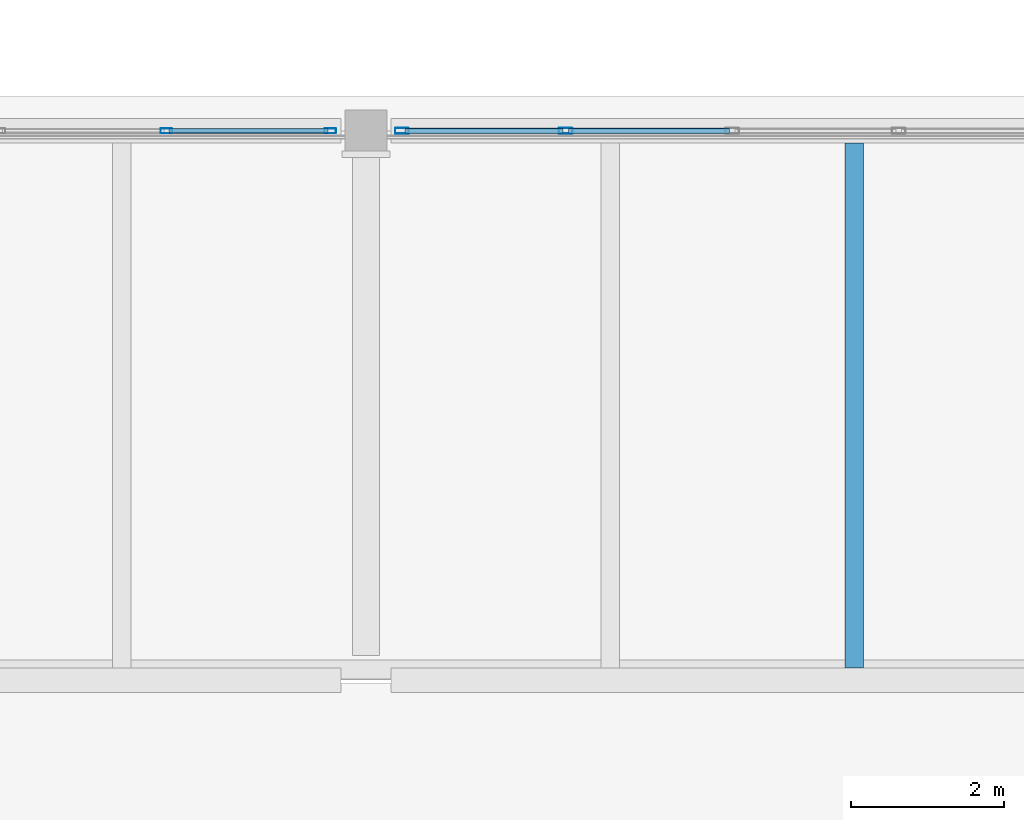
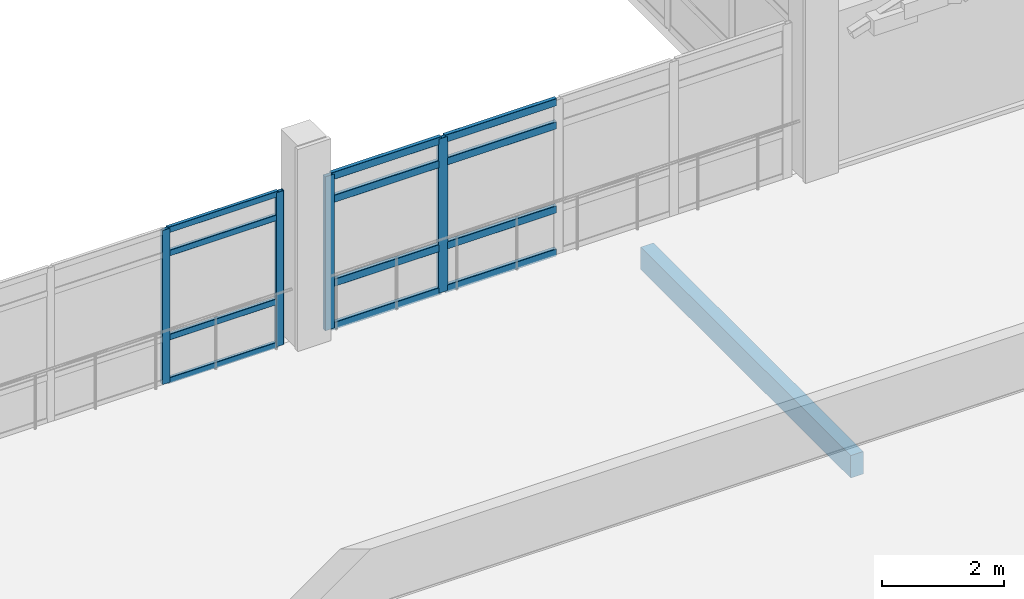
# One storey, part 12 of 50: 16 members, 1 beam, 2 elements without a shape of their own.
"""IFC4 building model written with IfcOpenShell, lengths in metres."""

from ifc_helpers import new_model, si_unit, direction, frame, origin, origin_2d, place, context, subcontext, project, spatial, rectangle, hollow_rectangle, extrude, material, layer, layer_set, material_profile, profile_set, type_object, element, aggregate, save


model = new_model("IFC4")

# Units and contexts
model_context = context("Model", 3, precision=1e-05, world=origin(), true_north=direction((0.0, 1.0)))
body_context = subcontext(model_context, "Body", "Model", "MODEL_VIEW")
ifc_project = project(units=[si_unit("LENGTHUNIT", "METRE"), si_unit("AREAUNIT", "SQUARE_METRE"), si_unit("VOLUMEUNIT", "CUBIC_METRE"), si_unit("PLANEANGLEUNIT", "RADIAN"), si_unit("MASSUNIT", "GRAM", prefix="KILO")], contexts=[model_context])

# Site, building, storey
site_placement = place(None, origin())
site = spatial("IfcSite", under=ifc_project, at=site_placement, CompositionType="ELEMENT")
building_placement = place(site_placement, origin())
building = spatial("IfcBuilding", under=site, at=building_placement, Name="Asteropetra Specialist Clinic", CompositionType="ELEMENT")
storey_placement = place(building_placement, frame((0.0, 0.0, 16.659912109375)))
storey = spatial("IfcBuildingStorey", under=building, at=storey_placement, Name="L04", CompositionType="ELEMENT", Elevation=16.659912109375)

# Curtain wall, members
ifc_material_1 = material(Name="Aluminium and low-E glass", Category="aluminium")
ifc_layer_1 = layer(ifc_material_1, 0.14990234375)
ifc_layer_set_1 = layer_set([ifc_layer_1], Name="Aluminium and low-E glass")
curtain_wall_type_1 = type_object("IfcCurtainWallType", Name="CW-SYS-02", PredefinedType="USERDEFINED", material=ifc_layer_set_1)
curtain_wall_1_placement = place(storey_placement, origin())
curtain_wall_1 = element("IfcCurtainWall", 1, at=curtain_wall_1_placement, inside=storey, type_object=curtain_wall_type_1, Name="Curtain Wall CW-049", ObjectType="UNITISED CURTAIN WALL", PredefinedType="USERDEFINED")
ifc_material_2 = material(Name="Aluminium 6063-T6", Category="aluminium")
ifc_material_profile_1 = material_profile(ifc_material_2, hollow_rectangle(XDim=0.06494140625, YDim=0.14990234375, WallThickness=0.00390625, InnerFilletRadius=0.00390625, OuterFilletRadius=0.008056640625, at=origin_2d()), Name="MUL 150x65x4.0")
ifc_profile_set_1 = profile_set([ifc_material_profile_1], Name="Aluminium 6063-T6")
member_type_1 = type_object("IfcMemberType", Name="CWM-150x65", PredefinedType="MULLION", material=ifc_profile_set_1)
member_1_placement = place(storey_placement, frame((16.58251953125, 76.800048828125, 0.0), z_axis=(0.0, 0.0, 1.0), x_axis=(0.0, 1.0, 0.0)))
member_1 = element("IfcMember", 2, at=member_1_placement, type_object=member_type_1, Name="CW-049 mullion 4", PredefinedType="MULLION", context=body_context, shape_type="SweptSolid", body=[
    extrude(hollow_rectangle(XDim=0.06494140625, YDim=0.14990234375, WallThickness=0.00390625, InnerFilletRadius=0.00390625, OuterFilletRadius=0.008056640625, at=origin_2d()), origin(), (0.0, 0.0, 1.0), 3.080078125),
])
member_2_placement = place(storey_placement, frame((18.732421875, 76.800048828125, 0.0), z_axis=(0.0, 0.0, 1.0), x_axis=(0.0, 1.0, 0.0)))
member_2 = element("IfcMember", 3, at=member_2_placement, type_object=member_type_1, Name="CW-049 mullion 5", PredefinedType="MULLION", context=body_context, shape_type="SweptSolid", body=[
    extrude(hollow_rectangle(XDim=0.06494140625, YDim=0.14990234375, WallThickness=0.00390625, InnerFilletRadius=0.00390625, OuterFilletRadius=0.008056640625, at=origin_2d()), origin(), (0.0, 0.0, 1.0), 3.080078125),
])

ifc_material_3 = material(Name="Aluminium and low-E glass", Category="aluminium")
ifc_layer_2 = layer(ifc_material_3, 0.135009765625)
ifc_layer_set_2 = layer_set([ifc_layer_2], Name="Aluminium and low-E glass")
curtain_wall_type_2 = type_object("IfcCurtainWallType", Name="CW-SYS-03", PredefinedType="USERDEFINED", material=ifc_layer_set_2)
curtain_wall_2_placement = place(storey_placement, origin())
curtain_wall_2 = element("IfcCurtainWall", 4, at=curtain_wall_2_placement, inside=storey, type_object=curtain_wall_type_2, Name="Curtain Wall CW-051", ObjectType="UNITISED CURTAIN WALL", PredefinedType="USERDEFINED")
ifc_material_4 = material(Name="Aluminium 6063-T6", Category="aluminium")
ifc_material_profile_2 = material_profile(ifc_material_4, hollow_rectangle(XDim=0.074951171875, YDim=0.179931640625, WallThickness=0.00390625, InnerFilletRadius=0.00390625, OuterFilletRadius=0.008056640625, at=origin_2d()), Name="MUL 180x75x4.0")
ifc_profile_set_2 = profile_set([ifc_material_profile_2], Name="Aluminium 6063-T6")
member_type_2 = type_object("IfcMemberType", Name="CWM-180x75", PredefinedType="MULLION", material=ifc_profile_set_2)
member_3_placement = place(storey_placement, frame((19.672607421875, 76.800048828125, 0.0), z_axis=(0.0, 0.0, 1.0), x_axis=(0.0, 1.0, 0.0)))
member_3 = element("IfcMember", 5, at=member_3_placement, type_object=member_type_2, Name="CW-051 mullion 1", PredefinedType="MULLION", context=body_context, shape_type="SweptSolid", body=[
    extrude(hollow_rectangle(XDim=0.074951171875, YDim=0.179931640625, WallThickness=0.00390625, InnerFilletRadius=0.00390625, OuterFilletRadius=0.008056640625, at=origin_2d()), origin(), (0.0, 0.0, 1.0), 3.080078125),
])
member_4_placement = place(storey_placement, frame((21.8173828125, 76.800048828125, 0.0), z_axis=(0.0, 0.0, 1.0), x_axis=(0.0, 1.0, 0.0)))
member_4 = element("IfcMember", 6, at=member_4_placement, type_object=member_type_2, Name="CW-051 mullion 2", PredefinedType="MULLION", context=body_context, shape_type="SweptSolid", body=[
    extrude(hollow_rectangle(XDim=0.074951171875, YDim=0.179931640625, WallThickness=0.00390625, InnerFilletRadius=0.00390625, OuterFilletRadius=0.008056640625, at=origin_2d()), origin(), (0.0, 0.0, 1.0), 3.080078125),
])

# Member
ifc_material_5 = material(Name="Aluminium 6063-T6", Category="aluminium")
ifc_material_profile_3 = material_profile(ifc_material_5, hollow_rectangle(XDim=0.06494140625, YDim=0.1201171875, WallThickness=0.00390625, InnerFilletRadius=0.00390625, OuterFilletRadius=0.008056640625, at=origin_2d()), Name="TRN 120x65x4.0")
ifc_profile_set_3 = profile_set([ifc_material_profile_3], Name="Aluminium 6063-T6")
member_type_3 = type_object("IfcMemberType", Name="CWT-120x65", PredefinedType="USERDEFINED", material=ifc_profile_set_3)
member_5_placement = place(storey_placement, frame((16.614990234375, 76.800048828125, 0.032470703125), z_axis=(1.0, 0.0, 0.0), x_axis=(0.0, 1.0, 0.0)))
member_5 = element("IfcMember", 7, at=member_5_placement, type_object=member_type_3, Name="CW-049 transom 4.1", ObjectType="TRANSOM", PredefinedType="USERDEFINED", context=body_context, shape_type="SweptSolid", body=[
    extrude(hollow_rectangle(XDim=0.06494140625, YDim=0.1201171875, WallThickness=0.00390625, InnerFilletRadius=0.00390625, OuterFilletRadius=0.008056640625, at=origin_2d()), origin(), (0.0, 0.0, 1.0), 2.0849609375),
])

member_6_placement = place(storey_placement, frame((16.614990234375, 76.800048828125, 0.900146484375), z_axis=(1.0, 0.0, 0.0), x_axis=(0.0, 1.0, 0.0)))
member_6 = element("IfcMember", 8, at=member_6_placement, type_object=member_type_3, Name="CW-049 transom 4.2", ObjectType="TRANSOM", PredefinedType="USERDEFINED", context=body_context, shape_type="SweptSolid", body=[
    extrude(hollow_rectangle(XDim=0.06494140625, YDim=0.1201171875, WallThickness=0.00390625, InnerFilletRadius=0.00390625, OuterFilletRadius=0.008056640625, at=origin_2d()), origin(), (0.0, 0.0, 1.0), 2.0849609375),
])

member_7_placement = place(storey_placement, frame((16.614990234375, 76.800048828125, 2.580078125), z_axis=(1.0, 0.0, 0.0), x_axis=(0.0, 1.0, 0.0)))
member_7 = element("IfcMember", 9, at=member_7_placement, type_object=member_type_3, Name="CW-049 transom 4.3", ObjectType="TRANSOM", PredefinedType="USERDEFINED", context=body_context, shape_type="SweptSolid", body=[
    extrude(hollow_rectangle(XDim=0.06494140625, YDim=0.1201171875, WallThickness=0.00390625, InnerFilletRadius=0.00390625, OuterFilletRadius=0.008056640625, at=origin_2d()), origin(), (0.0, 0.0, 1.0), 2.0849609375),
])

member_8_placement = place(storey_placement, frame((16.614990234375, 76.800048828125, 3.047607421875), z_axis=(1.0, 0.0, 0.0), x_axis=(0.0, 1.0, 0.0)))
member_8 = element("IfcMember", 10, at=member_8_placement, type_object=member_type_3, Name="CW-049 transom 4.4", ObjectType="TRANSOM", PredefinedType="USERDEFINED", context=body_context, shape_type="SweptSolid", body=[
    extrude(hollow_rectangle(XDim=0.06494140625, YDim=0.1201171875, WallThickness=0.00390625, InnerFilletRadius=0.00390625, OuterFilletRadius=0.008056640625, at=origin_2d()), origin(), (0.0, 0.0, 1.0), 2.0849609375),
])

aggregate(curtain_wall_1, [member_1, member_2, member_5, member_6, member_7, member_8])

ifc_material_6 = material(Name="Aluminium 6063-T6", Category="aluminium")
ifc_material_profile_4 = material_profile(ifc_material_6, hollow_rectangle(XDim=0.074951171875, YDim=0.14990234375, WallThickness=0.00390625, InnerFilletRadius=0.00390625, OuterFilletRadius=0.008056640625, at=origin_2d()), Name="TRN 150x75x4.0")
ifc_profile_set_4 = profile_set([ifc_material_profile_4], Name="Aluminium 6063-T6")
member_type_4 = type_object("IfcMemberType", Name="CWT-150x75", PredefinedType="USERDEFINED", material=ifc_profile_set_4)
member_9_placement = place(storey_placement, frame((19.7099609375, 76.800048828125, 0.03759765625), z_axis=(1.0, 0.0, 0.0), x_axis=(0.0, 1.0, 0.0)))
member_9 = element("IfcMember", 11, at=member_9_placement, type_object=member_type_4, Name="CW-051 transom 1.1", ObjectType="TRANSOM", PredefinedType="USERDEFINED", context=body_context, shape_type="SweptSolid", body=[
    extrude(hollow_rectangle(XDim=0.074951171875, YDim=0.14990234375, WallThickness=0.00390625, InnerFilletRadius=0.00390625, OuterFilletRadius=0.008056640625, at=origin_2d()), origin(), (0.0, 0.0, 1.0), 2.070068359375),
])

member_10_placement = place(storey_placement, frame((19.7099609375, 76.800048828125, 0.900146484375), z_axis=(1.0, 0.0, 0.0), x_axis=(0.0, 1.0, 0.0)))
member_10 = element("IfcMember", 12, at=member_10_placement, type_object=member_type_4, Name="CW-051 transom 1.2", ObjectType="TRANSOM", PredefinedType="USERDEFINED", context=body_context, shape_type="SweptSolid", body=[
    extrude(hollow_rectangle(XDim=0.074951171875, YDim=0.14990234375, WallThickness=0.00390625, InnerFilletRadius=0.00390625, OuterFilletRadius=0.008056640625, at=origin_2d()), origin(), (0.0, 0.0, 1.0), 2.070068359375),
])

member_11_placement = place(storey_placement, frame((19.7099609375, 76.800048828125, 2.580078125), z_axis=(1.0, 0.0, 0.0), x_axis=(0.0, 1.0, 0.0)))
member_11 = element("IfcMember", 13, at=member_11_placement, type_object=member_type_4, Name="CW-051 transom 1.3", ObjectType="TRANSOM", PredefinedType="USERDEFINED", context=body_context, shape_type="SweptSolid", body=[
    extrude(hollow_rectangle(XDim=0.074951171875, YDim=0.14990234375, WallThickness=0.00390625, InnerFilletRadius=0.00390625, OuterFilletRadius=0.008056640625, at=origin_2d()), origin(), (0.0, 0.0, 1.0), 2.070068359375),
])

member_12_placement = place(storey_placement, frame((19.7099609375, 76.800048828125, 3.04248046875), z_axis=(1.0, 0.0, 0.0), x_axis=(0.0, 1.0, 0.0)))
member_12 = element("IfcMember", 14, at=member_12_placement, type_object=member_type_4, Name="CW-051 transom 1.4", ObjectType="TRANSOM", PredefinedType="USERDEFINED", context=body_context, shape_type="SweptSolid", body=[
    extrude(hollow_rectangle(XDim=0.074951171875, YDim=0.14990234375, WallThickness=0.00390625, InnerFilletRadius=0.00390625, OuterFilletRadius=0.008056640625, at=origin_2d()), origin(), (0.0, 0.0, 1.0), 2.070068359375),
])

member_13_placement = place(storey_placement, frame((21.85498046875, 76.800048828125, 0.03759765625), z_axis=(1.0, 0.0, 0.0), x_axis=(0.0, 1.0, 0.0)))
member_13 = element("IfcMember", 15, at=member_13_placement, type_object=member_type_4, Name="CW-051 transom 2.1", ObjectType="TRANSOM", PredefinedType="USERDEFINED", context=body_context, shape_type="SweptSolid", body=[
    extrude(hollow_rectangle(XDim=0.074951171875, YDim=0.14990234375, WallThickness=0.00390625, InnerFilletRadius=0.00390625, OuterFilletRadius=0.008056640625, at=origin_2d()), origin(), (0.0, 0.0, 1.0), 2.107421875),
])

member_14_placement = place(storey_placement, frame((21.85498046875, 76.800048828125, 0.900146484375), z_axis=(1.0, 0.0, 0.0), x_axis=(0.0, 1.0, 0.0)))
member_14 = element("IfcMember", 16, at=member_14_placement, type_object=member_type_4, Name="CW-051 transom 2.2", ObjectType="TRANSOM", PredefinedType="USERDEFINED", context=body_context, shape_type="SweptSolid", body=[
    extrude(hollow_rectangle(XDim=0.074951171875, YDim=0.14990234375, WallThickness=0.00390625, InnerFilletRadius=0.00390625, OuterFilletRadius=0.008056640625, at=origin_2d()), origin(), (0.0, 0.0, 1.0), 2.107421875),
])

member_15_placement = place(storey_placement, frame((21.85498046875, 76.800048828125, 2.580078125), z_axis=(1.0, 0.0, 0.0), x_axis=(0.0, 1.0, 0.0)))
member_15 = element("IfcMember", 17, at=member_15_placement, type_object=member_type_4, Name="CW-051 transom 2.3", ObjectType="TRANSOM", PredefinedType="USERDEFINED", context=body_context, shape_type="SweptSolid", body=[
    extrude(hollow_rectangle(XDim=0.074951171875, YDim=0.14990234375, WallThickness=0.00390625, InnerFilletRadius=0.00390625, OuterFilletRadius=0.008056640625, at=origin_2d()), origin(), (0.0, 0.0, 1.0), 2.107421875),
])

member_16_placement = place(storey_placement, frame((21.85498046875, 76.800048828125, 3.04248046875), z_axis=(1.0, 0.0, 0.0), x_axis=(0.0, 1.0, 0.0)))
member_16 = element("IfcMember", 18, at=member_16_placement, type_object=member_type_4, Name="CW-051 transom 2.4", ObjectType="TRANSOM", PredefinedType="USERDEFINED", context=body_context, shape_type="SweptSolid", body=[
    extrude(hollow_rectangle(XDim=0.074951171875, YDim=0.14990234375, WallThickness=0.00390625, InnerFilletRadius=0.00390625, OuterFilletRadius=0.008056640625, at=origin_2d()), origin(), (0.0, 0.0, 1.0), 2.107421875),
])

aggregate(curtain_wall_2, [member_3, member_4, member_9, member_10, member_11, member_12, member_13, member_14, member_15, member_16])

# Beam
ifc_material_7 = material(Name="Concrete C35/45", Category="concrete")
ifc_material_profile_5 = material_profile(ifc_material_7, rectangle(XDim=0.239990234375, YDim=0.449951171875, at=origin_2d()), Name="RCJ 240x450")
ifc_profile_set_5 = profile_set([ifc_material_profile_5], Name="Concrete C35/45")
beam_type = type_object("IfcBeamType", Name="JST-RC240x450", PredefinedType="JOIST", material=ifc_profile_set_5)
beam_placement = place(storey_placement, frame((25.60009765625, 69.760009765625, -0.534912109375), z_axis=(0.0, 1.0, 0.0), x_axis=(-1.0, 0.0, 0.0)))
element("IfcBeam", 19, at=beam_placement, inside=storey, type_object=beam_type, Name="Joist JJST03-1701", PredefinedType="JOIST", context=body_context, shape_type="SweptSolid", body=[
    extrude(rectangle(XDim=0.239990234375, YDim=0.449951171875, at=origin_2d()), origin(), (0.0, 0.0, 1.0), 6.8798828125),
])

save(model, "model.ifc")
